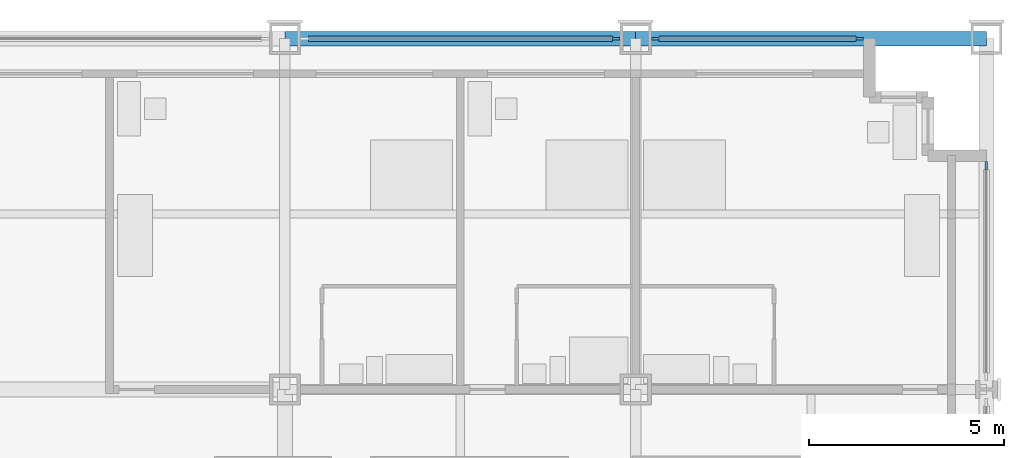
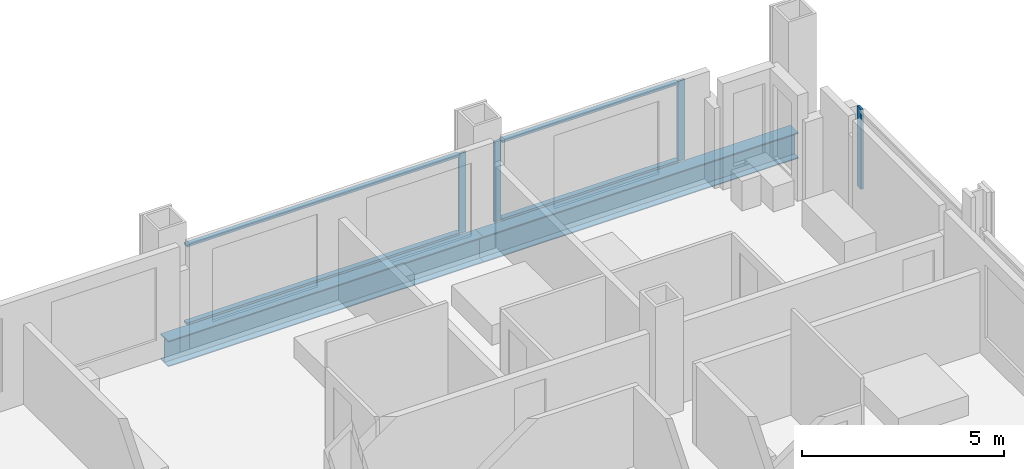
# One storey, part 8 of 18: 8 members, 2 beams, 3 elements without a shape of their own.
"""IFC4 building model written with IfcOpenShell, lengths in metres."""

from ifc_helpers import new_model, si_unit, direction, frame, origin, origin_2d, place, context, subcontext, project, spatial, rectangle, i_section, extrude, material, material_profile, profile_set, type_object, element, aggregate, save


model = new_model("IFC4")

# Units and contexts
model_context = context("Model", 3, precision=1e-05, world=origin(), true_north=direction((0.0, 1.0)))
body_context = subcontext(model_context, "Body", "Model", "MODEL_VIEW")
ifc_project = project(units=[si_unit("LENGTHUNIT", "METRE"), si_unit("AREAUNIT", "SQUARE_METRE"), si_unit("VOLUMEUNIT", "CUBIC_METRE"), si_unit("PLANEANGLEUNIT", "RADIAN"), si_unit("MASSUNIT", "GRAM", prefix="KILO")], contexts=[model_context])

# Site, building, storey
site_placement = place(None, origin())
site = spatial("IfcSite", under=ifc_project, at=site_placement, CompositionType="ELEMENT")
building_placement = place(site_placement, origin())
building = spatial("IfcBuilding", under=site, at=building_placement, Name="Loomwork Tower", CompositionType="ELEMENT")
storey_placement = place(building_placement, frame((0.0, 0.0, 68.800048828125)))
storey = spatial("IfcBuildingStorey", under=building, at=storey_placement, Name="L17", CompositionType="ELEMENT", Elevation=68.800048828125)

# Curtain wall, member
ifc_material_1 = material(Name="Aluminium curtain wall frame", Category="aluminium")
curtain_wall_type = type_object("IfcCurtainWallType", Name="Outer skin glazing hotel", PredefinedType="NOTDEFINED", material=ifc_material_1)
curtain_wall_1_placement = place(storey_placement, origin())
curtain_wall_1 = element("IfcCurtainWall", 1, at=curtain_wall_1_placement, inside=storey, type_object=curtain_wall_type, Name="Outer skin glazing hotel cw/N-36", PredefinedType="NOTDEFINED")
ifc_material_2 = material(Name="Aluminium curtain wall frame", Category="aluminium")
ifc_material_profile_1 = material_profile(ifc_material_2, rectangle(XDim=0.06494140625, YDim=0.199951171875, at=origin_2d()), Name="AL 65x200")
ifc_profile_set_1 = profile_set([ifc_material_profile_1], Name="Aluminium curtain wall frame")
member_type_1 = type_object("IfcMemberType", Name="Outer skin glazing hotel mullion", PredefinedType="MULLION", material=ifc_profile_set_1)
member_1_placement = place(storey_placement, frame((44.5, 36.0, 0.0), z_axis=(0.0, 0.0, 1.0), x_axis=(0.0, -1.0, 0.0)))
member_1 = element("IfcMember", 2, at=member_1_placement, type_object=member_type_1, Name="CW1 mullion 1", PredefinedType="MULLION", context=body_context, shape_type="SweptSolid", body=[
    extrude(rectangle(XDim=0.06494140625, YDim=0.199951171875, at=origin_2d()), origin(), (0.0, 0.0, 1.0), 2.420166015625),
])

# Curtain wall, members
curtain_wall_2_placement = place(storey_placement, origin())
curtain_wall_2 = element("IfcCurtainWall", 3, at=curtain_wall_2_placement, inside=storey, type_object=curtain_wall_type, Name="Outer skin glazing hotel cw/N-45", PredefinedType="NOTDEFINED")
member_2_placement = place(storey_placement, frame((50.75, 36.0, 0.0), z_axis=(0.0, 0.0, 1.0), x_axis=(0.0, -1.0, 0.0)))
member_2 = element("IfcMember", 4, at=member_2_placement, type_object=member_type_1, Name="CW1 mullion 1", PredefinedType="MULLION", context=body_context, shape_type="SweptSolid", body=[
    extrude(rectangle(XDim=0.06494140625, YDim=0.199951171875, at=origin_2d()), origin(), (0.0, 0.0, 1.0), 2.420166015625),
])
member_3_placement = place(storey_placement, frame((45.5, 36.0, 0.0), z_axis=(0.0, 0.0, 1.0), x_axis=(0.0, -1.0, 0.0)))
member_3 = element("IfcMember", 5, at=member_3_placement, type_object=member_type_1, Name="CW1 mullion 2", PredefinedType="MULLION", context=body_context, shape_type="SweptSolid", body=[
    extrude(rectangle(XDim=0.06494140625, YDim=0.199951171875, at=origin_2d()), origin(), (0.0, 0.0, 1.0), 2.420166015625),
])

# Curtain wall, member
curtain_wall_3_placement = place(storey_placement, origin())
curtain_wall_3 = element("IfcCurtainWall", 6, at=curtain_wall_3_placement, inside=storey, type_object=curtain_wall_type, Name="Outer skin glazing hotel cw/E-27", PredefinedType="NOTDEFINED")
member_4_placement = place(storey_placement, frame((54.0, 32.75, 0.0), z_axis=(0.0, 0.0, 1.0), x_axis=(-1.0, 0.0, 0.0)))
member_4 = element("IfcMember", 7, at=member_4_placement, type_object=member_type_1, Name="CW1 mullion 2", PredefinedType="MULLION", context=body_context, shape_type="SweptSolid", body=[
    extrude(rectangle(XDim=0.06494140625, YDim=0.199951171875, at=origin_2d()), origin(), (0.0, 0.0, 1.0), 2.420166015625),
])
aggregate(curtain_wall_3, [member_4])

# Member
ifc_material_3 = material(Name="Aluminium curtain wall frame", Category="aluminium")
ifc_material_profile_2 = material_profile(ifc_material_3, rectangle(XDim=0.14990234375, YDim=0.06494140625, at=origin_2d()), Name="AL 65x150")
ifc_profile_set_2 = profile_set([ifc_material_profile_2], Name="Aluminium curtain wall frame")
member_type_2 = type_object("IfcMemberType", Name="Outer skin glazing hotel transom", PredefinedType="USERDEFINED", material=ifc_profile_set_2)
member_5_placement = place(storey_placement, frame((44.39990234375, 36.0, 0.032470703125), z_axis=(-1.0, 0.0, 0.0), x_axis=(0.0, -1.0, 0.0)))
member_5 = element("IfcMember", 8, at=member_5_placement, type_object=member_type_2, Name="CW1 transom 1.1", ObjectType="TRANSOM", PredefinedType="USERDEFINED", context=body_context, shape_type="SweptSolid", body=[
    extrude(rectangle(XDim=0.14990234375, YDim=0.06494140625, at=origin_2d()), origin(), (0.0, 0.0, 1.0), 7.7998046875),
])

member_6_placement = place(storey_placement, frame((44.39990234375, 36.0, 2.3876953125), z_axis=(-1.0, 0.0, 0.0), x_axis=(0.0, -1.0, 0.0)))
member_6 = element("IfcMember", 9, at=member_6_placement, type_object=member_type_2, Name="CW1 transom 1.2", ObjectType="TRANSOM", PredefinedType="USERDEFINED", context=body_context, shape_type="SweptSolid", body=[
    extrude(rectangle(XDim=0.14990234375, YDim=0.06494140625, at=origin_2d()), origin(), (0.0, 0.0, 1.0), 7.7998046875),
])

aggregate(curtain_wall_1, [member_1, member_5, member_6])

member_7_placement = place(storey_placement, frame((50.64990234375, 36.0, 0.032470703125), z_axis=(-1.0, 0.0, 0.0), x_axis=(0.0, -1.0, 0.0)))
member_7 = element("IfcMember", 10, at=member_7_placement, type_object=member_type_2, Name="CW1 transom 1.1", ObjectType="TRANSOM", PredefinedType="USERDEFINED", context=body_context, shape_type="SweptSolid", body=[
    extrude(rectangle(XDim=0.14990234375, YDim=0.06494140625, at=origin_2d()), origin(), (0.0, 0.0, 1.0), 5.0498046875),
])

member_8_placement = place(storey_placement, frame((50.64990234375, 36.0, 2.3876953125), z_axis=(-1.0, 0.0, 0.0), x_axis=(0.0, -1.0, 0.0)))
member_8 = element("IfcMember", 11, at=member_8_placement, type_object=member_type_2, Name="CW1 transom 1.2", ObjectType="TRANSOM", PredefinedType="USERDEFINED", context=body_context, shape_type="SweptSolid", body=[
    extrude(rectangle(XDim=0.14990234375, YDim=0.06494140625, at=origin_2d()), origin(), (0.0, 0.0, 1.0), 5.0498046875),
])

aggregate(curtain_wall_2, [member_2, member_3, member_7, member_8])

# Beams
ifc_material_4 = material(Name="Steel ASTM A992", Category="steel")
ifc_material_profile_3 = material_profile(ifc_material_4, i_section(OverallWidth=0.381103515625, OverallDepth=0.77978515625, WebThickness=0.01806640625, FlangeThickness=0.0302734375, at=origin_2d()), Name="W30x191")
ifc_profile_set_3 = profile_set([ifc_material_profile_3], Name="Steel ASTM A992")
beam_type = type_object("IfcBeamType", Name="SPANDREL GIRDER W30x191", PredefinedType="SPANDREL", material=ifc_profile_set_3)
for number, where, z_axis, x_axis, name in (
    (12, (36.0, 36.0, -0.58984375), (1.0, 0.0, 0.0), (0.0, 1.0, 0.0), "Spandrel Girder H/6-H/7 L17"),
    (13, (45.0, 36.0, -0.58984375), (1.0, 0.0, 0.0), (0.0, 1.0, 0.0), "Spandrel Girder H/7-H/8 L17"),
):
    element("IfcBeam", number, at=place(storey_placement, frame(where, z_axis=z_axis, x_axis=x_axis)), inside=storey, type_object=beam_type, Name=name, PredefinedType="SPANDREL", context=body_context, shape_type="SweptSolid", body=[
        extrude(i_section(OverallWidth=0.381103515625, OverallDepth=0.77978515625, WebThickness=0.01806640625, FlangeThickness=0.0302734375, at=origin_2d()), origin(), (0.0, 0.0, 1.0), 9.0),
    ])

save(model, "model.ifc")
